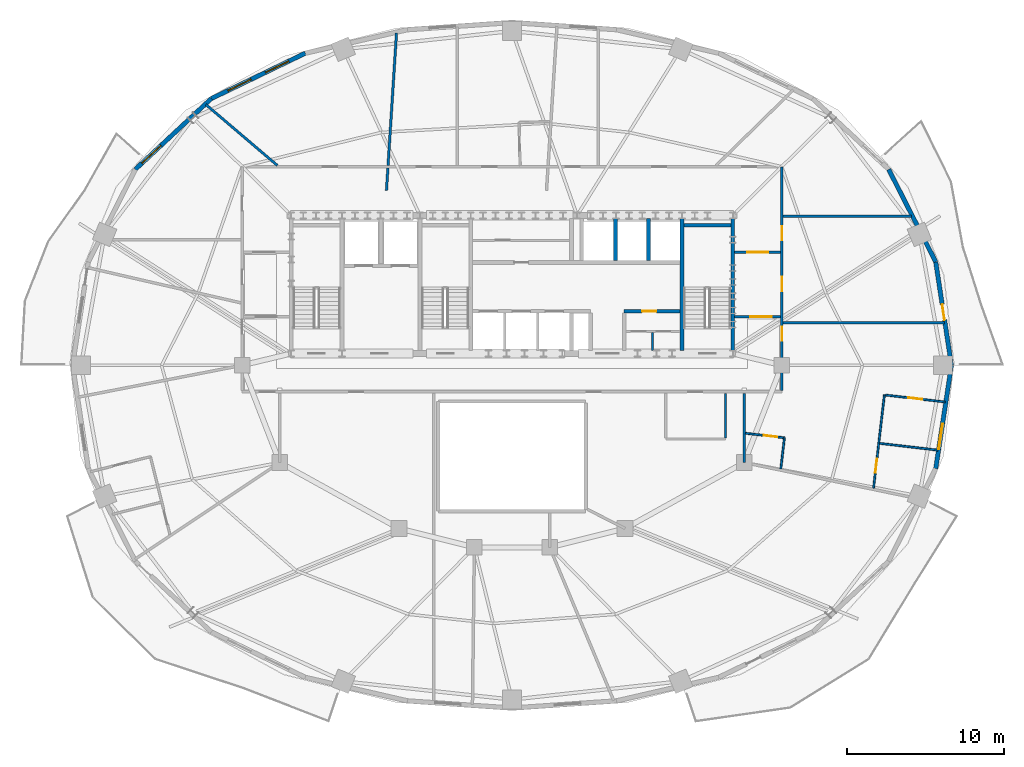
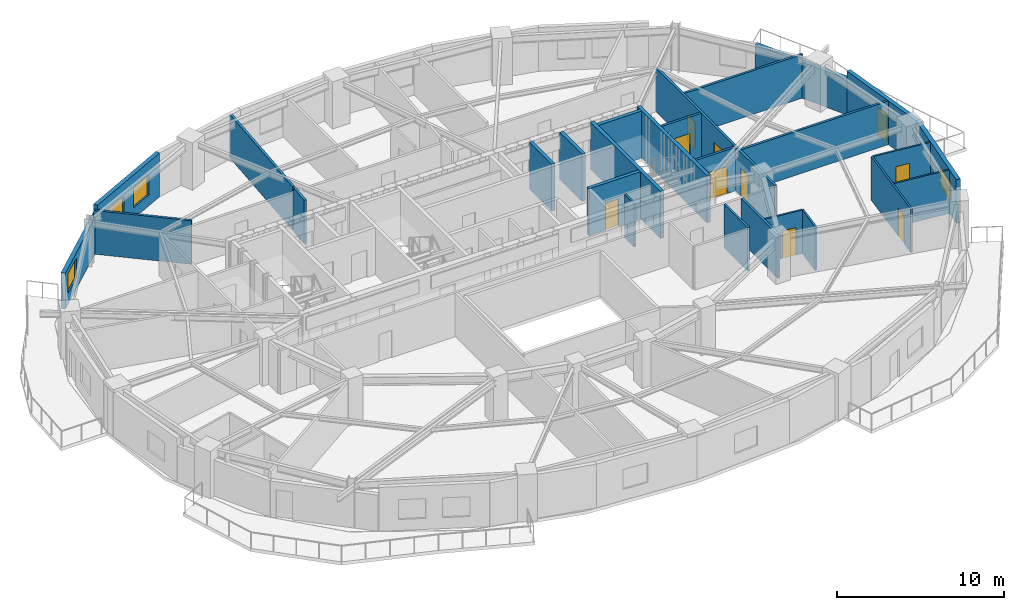
# One storey, part 6 of 10: 27 walls, 10 doors, 4 windows, 14 openings.
"""IFC4 building model written with IfcOpenShell, lengths in metres."""

from ifc_helpers import new_model, si_unit, direction, frame, frame_2d, origin, place, context, subcontext, project, spatial, rectangle, extrude, material, layer, layer_set, type_object, element, fill, save


model = new_model("IFC4")

# Units and contexts
model_context = context("Model", 3, precision=1e-05, world=origin(), true_north=direction((0.0, 1.0)))
body_context = subcontext(model_context, "Body", "Model", "MODEL_VIEW")
ifc_project = project(units=[si_unit("LENGTHUNIT", "METRE"), si_unit("AREAUNIT", "SQUARE_METRE"), si_unit("VOLUMEUNIT", "CUBIC_METRE"), si_unit("PLANEANGLEUNIT", "RADIAN"), si_unit("MASSUNIT", "GRAM", prefix="KILO")], contexts=[model_context])

# Site, building, storey
site_placement = place(None, origin())
site = spatial("IfcSite", under=ifc_project, at=site_placement, CompositionType="ELEMENT")
building_placement = place(site_placement, origin())
building = spatial("IfcBuilding", under=site, at=building_placement, Name="Haldorwick Loom Tower", CompositionType="ELEMENT")
storey_placement = place(building_placement, frame((0.0, 0.0, 193.449951171875)))
storey = spatial("IfcBuildingStorey", under=building, at=storey_placement, Name="L52", CompositionType="ELEMENT", Elevation=193.449951171875)

# Wall, opening, door
ifc_material_1 = material(Name="Pressed Clay Face Brick and Insulated Masonry Backup Assembly", Category="masonry")
ifc_layer_1 = layer(ifc_material_1, 0.280029296875, Name="Pressed Clay Face Brick and Insulated Masonry Backup Assembly", Category="masonry")
ifc_layer_set_1 = layer_set([ifc_layer_1], Name="Pressed Clay Face Brick and Insulated Masonry Backup Assembly")
wall_type_1 = type_object("IfcWallType", Name="ARC-WL-EXT280", PredefinedType="STANDARD", material=ifc_layer_set_1)
wall_1_placement = place(storey_placement, frame((64.00634765625, 26.0, 0.0), z_axis=(0.0, 0.0, 1.0), x_axis=(-0.150467697578, 0.988614926038, 0.0)))
wall_1 = element("IfcWall", 1, at=wall_1_placement, inside=storey, type_object=wall_type_1, Name="L52 Brick Pier and Spandrel Wall 1", PredefinedType="STANDARD", context=body_context, shape_type="SweptSolid", body=[
    extrude(rectangle(XDim=6.66064453125, YDim=0.280029296875, at=frame_2d((3.330322265625, 0.0))), origin(), (0.0, 0.0, 1.0), 3.2099609375),
])
opening_1_placement = place(wall_1_placement, frame((2.92041015625, 0.0, 0.0)))
opening_1 = element("IfcOpeningElement", 2, at=opening_1_placement, cuts=wall_1, Name="Opening D-BL10", PredefinedType="OPENING", context=body_context, shape_type="SweptSolid", body=[
    extrude(rectangle(XDim=1.0, YDim=2.0400390625, at=frame_2d((0.5, 1.02001953125))), frame((0.0, 0.14990234375, 0.0), z_axis=(0.0, -1.0, 0.0), x_axis=(1.0, 0.0, 0.0)), (0.0, 0.0, 1.0), 0.300048828125),
])
ifc_material_2 = material(Name="Thermally Broken Anodized Aluminium Curtain Wall Framing", Category="aluminium")
door_type_1 = type_object("IfcDoorType", Name="ARC-DR-BAL100", OperationType="NOTDEFINED", PredefinedType="DOOR", material=ifc_material_2)
door_1_placement = place(opening_1_placement, origin())
door_1 = element("IfcDoor", 3, at=door_1_placement, inside=storey, type_object=door_type_1, Name="L52 Outdoor Terrace Door SLB-L52-BAL_ENE", OperationType="SINGLE_SWING_RIGHT", OverallHeight=2.0400390625, OverallWidth=1.0, PredefinedType="DOOR", context=body_context, shape_type="SweptSolid", body=[
    extrude(rectangle(XDim=1.0, YDim=2.0400390625, at=frame_2d((0.5, 1.02001953125))), frame((0.0, 0.02490234375, 0.0), z_axis=(0.0, -1.0, 0.0), x_axis=(1.0, 0.0, 0.0)), (0.0, 0.0, 1.0), 0.050048828125),
])
fill(opening_1, door_1)

# Wall
wall_2_placement = place(storey_placement, frame((63.004150390625, 32.584716796875, 0.0), z_axis=(0.0, 0.0, 1.0), x_axis=(-0.453032066879, 0.89149422117, 0.0)))
element("IfcWall", 4, at=wall_2_placement, inside=storey, type_object=wall_type_1, Name="L52 Brick Pier and Spandrel Wall 2", PredefinedType="STANDARD", context=body_context, shape_type="SweptSolid", body=[
    extrude(rectangle(XDim=6.618896484375, YDim=0.280029296875, at=frame_2d((3.3095703125, 0.0))), origin(), (0.0, 0.0, 1.0), 2.64111328125),
])

# Wall, openings, windows
wall_3_placement = place(storey_placement, frame((22.82861328125, 45.890869140625, 0.0), z_axis=(0.0, 0.0, 1.0), x_axis=(-0.900371236029, -0.435122554381, 0.0)))
wall_3 = element("IfcWall", 5, at=wall_3_placement, inside=storey, type_object=wall_type_1, Name="L52 Brick Pier and Spandrel Wall 9", PredefinedType="STANDARD", context=body_context, shape_type="SweptSolid", body=[
    extrude(rectangle(XDim=6.6533203125, YDim=0.280029296875, at=frame_2d((3.32666015625, 0.0))), origin(), (0.0, 0.0, 1.0), 3.2099609375),
])
opening_2_placement = place(wall_3_placement, frame((1.1708984375, 0.0, 0.800048828125)))
opening_2 = element("IfcOpeningElement", 6, at=opening_2_placement, cuts=wall_3, Name="Opening W-01B", PredefinedType="OPENING", context=body_context, shape_type="SweptSolid", body=[
    extrude(rectangle(XDim=1.64990234375, YDim=1.449951171875, at=frame_2d((0.824951171875, 0.72509765625))), frame((0.0, 0.14990234375, 0.0), z_axis=(0.0, -1.0, 0.0), x_axis=(1.0, 0.0, 0.0)), (0.0, 0.0, 1.0), 0.300048828125),
])
opening_3_placement = place(wall_3_placement, frame((3.832275390625, 0.0, 0.800048828125)))
opening_3 = element("IfcOpeningElement", 7, at=opening_3_placement, cuts=wall_3, Name="Opening W-01B", PredefinedType="OPENING", context=body_context, shape_type="SweptSolid", body=[
    extrude(rectangle(XDim=1.64990234375, YDim=1.449951171875, at=frame_2d((0.824951171875, 0.72509765625))), frame((0.0, 0.14990234375, 0.0), z_axis=(0.0, -1.0, 0.0), x_axis=(1.0, 0.0, 0.0)), (0.0, 0.0, 1.0), 0.300048828125),
])
ifc_material_3 = material(Name="Triple-Glazed Low-E Argon Insulated Glazing Unit", Category="glass")
window_type = type_object("IfcWindowType", Name="ARC-WIN-W165", PartitioningType="SINGLE_PANEL", PredefinedType="WINDOW", material=ifc_material_3)
window_1_placement = place(opening_2_placement, origin())
window_1 = element("IfcWindow", 8, at=window_1_placement, inside=storey, type_object=window_type, Name="L52 Deep-Set Zone 7A Window 9", OverallHeight=1.449951171875, OverallWidth=1.64990234375, PartitioningType="SINGLE_PANEL", PredefinedType="WINDOW", context=body_context, shape_type="SweptSolid", body=[
    extrude(rectangle(XDim=1.64990234375, YDim=1.449951171875, at=frame_2d((0.824951171875, 0.72509765625))), frame((0.0, 0.030029296875, 0.0), z_axis=(0.0, -1.0, 0.0), x_axis=(1.0, 0.0, 0.0)), (0.0, 0.0, 1.0), 0.06005859375),
])
fill(opening_2, window_1)
window_2_placement = place(opening_3_placement, origin())
window_2 = element("IfcWindow", 9, at=window_2_placement, inside=storey, type_object=window_type, Name="L52 Deep-Set Zone 7A Window 9", OverallHeight=1.449951171875, OverallWidth=1.64990234375, PartitioningType="SINGLE_PANEL", PredefinedType="WINDOW", context=body_context, shape_type="SweptSolid", body=[
    extrude(rectangle(XDim=1.64990234375, YDim=1.449951171875, at=frame_2d((0.824951171875, 0.72509765625))), frame((0.0, 0.030029296875, 0.0), z_axis=(0.0, -1.0, 0.0), x_axis=(1.0, 0.0, 0.0)), (0.0, 0.0, 1.0), 0.06005859375),
])
fill(opening_3, window_2)

# Wall, opening, window
wall_4_placement = place(storey_placement, frame((16.838134765625, 42.995849609375, 0.0), z_axis=(0.0, 0.0, 1.0), x_axis=(-0.731833707499, -0.681483253329, 0.0)))
wall_4 = element("IfcWall", 10, at=wall_4_placement, inside=storey, type_object=wall_type_1, Name="L52 Brick Pier and Spandrel Wall 10", PredefinedType="STANDARD", context=body_context, shape_type="SweptSolid", body=[
    extrude(rectangle(XDim=6.61865234375, YDim=0.280029296875, at=frame_2d((3.309326171875, 0.0))), origin(), (0.0, 0.0, 1.0), 2.64111328125),
])
opening_4_placement = place(wall_4_placement, frame((4.38720703125, 0.0, 0.800048828125)))
opening_4 = element("IfcOpeningElement", 11, at=opening_4_placement, cuts=wall_4, Name="Opening W-01B", PredefinedType="OPENING", context=body_context, shape_type="SweptSolid", body=[
    extrude(rectangle(XDim=1.64990234375, YDim=1.449951171875, at=frame_2d((0.824951171875, 0.72509765625))), frame((0.0, 0.14990234375, 0.0), z_axis=(0.0, -1.0, 0.0), x_axis=(1.0, 0.0, 0.0)), (0.0, 0.0, 1.0), 0.300048828125),
])
window_3_placement = place(opening_4_placement, origin())
window_3 = element("IfcWindow", 12, at=window_3_placement, inside=storey, type_object=window_type, Name="L52 Deep-Set Zone 7A Window 10", OverallHeight=1.449951171875, OverallWidth=1.64990234375, PartitioningType="SINGLE_PANEL", PredefinedType="WINDOW", context=body_context, shape_type="SweptSolid", body=[
    extrude(rectangle(XDim=1.64990234375, YDim=1.449951171875, at=frame_2d((0.824951171875, 0.72509765625))), frame((0.0, 0.030029296875, 0.0), z_axis=(0.0, -1.0, 0.0), x_axis=(1.0, 0.0, 0.0)), (0.0, 0.0, 1.0), 0.06005859375),
])
fill(opening_4, window_3)

wall_5_placement = place(storey_placement, frame((63.004150390625, 19.415283203125, 0.0), z_axis=(0.0, 0.0, 1.0), x_axis=(0.150467697578, 0.988614926038, 0.0)))
wall_5 = element("IfcWall", 13, at=wall_5_placement, inside=storey, type_object=wall_type_1, Name="L52 Brick Pier and Spandrel Wall 24", PredefinedType="STANDARD", context=body_context, shape_type="SweptSolid", body=[
    extrude(rectangle(XDim=6.66064453125, YDim=0.280029296875, at=frame_2d((3.330322265625, 0.0))), origin(), (0.0, 0.0, 1.0), 3.2099609375),
])
opening_5_placement = place(wall_5_placement, frame((1.2421875, 0.0, 0.800048828125)))
opening_5 = element("IfcOpeningElement", 14, at=opening_5_placement, cuts=wall_5, Name="Opening W-01B", PredefinedType="OPENING", context=body_context, shape_type="SweptSolid", body=[
    extrude(rectangle(XDim=1.64990234375, YDim=1.449951171875, at=frame_2d((0.824951171875, 0.72509765625))), frame((0.0, 0.14990234375, 0.0), z_axis=(0.0, -1.0, 0.0), x_axis=(1.0, 0.0, 0.0)), (0.0, 0.0, 1.0), 0.300048828125),
])
window_4_placement = place(opening_5_placement, origin())
window_4 = element("IfcWindow", 15, at=window_4_placement, inside=storey, type_object=window_type, Name="L52 Deep-Set Zone 7A Window 24", OverallHeight=1.449951171875, OverallWidth=1.64990234375, PartitioningType="SINGLE_PANEL", PredefinedType="WINDOW", context=body_context, shape_type="SweptSolid", body=[
    extrude(rectangle(XDim=1.64990234375, YDim=1.449951171875, at=frame_2d((0.824951171875, 0.72509765625))), frame((0.0, 0.030029296875, 0.0), z_axis=(0.0, -1.0, 0.0), x_axis=(1.0, 0.0, 0.0)), (0.0, 0.0, 1.0), 0.06005859375),
])
fill(opening_5, window_4)

# Wall, openings, doors
ifc_material_4 = material(Name="Fire-Rated Type X Gypsum Stud Assembly EI 60")
ifc_layer_2 = layer(ifc_material_4, 0.159912109375, Name="Fire-Rated Type X Gypsum Stud Assembly EI 60")
ifc_layer_set_2 = layer_set([ifc_layer_2], Name="Fire-Rated Type X Gypsum Stud Assembly EI 60")
wall_type_2 = type_object("IfcWallType", Name="ARC-WL-FIRE160", PredefinedType="PARTITIONING", material=ifc_layer_set_2)
wall_6_placement = place(storey_placement, frame((53.199951171875, 24.383056640625, 0.0), z_axis=(0.0, 0.0, 1.0), x_axis=(0.0, 1.0, 0.0)))
wall_6 = element("IfcWall", 16, at=wall_6_placement, inside=storey, type_object=wall_type_2, Name="L52 Residential Fire Partition L52-CR-E0", PredefinedType="PARTITIONING", context=body_context, shape_type="SweptSolid", body=[
    extrude(rectangle(XDim=14.266845703125, YDim=0.159912109375, at=frame_2d((7.13330078125, 0.0))), origin(), (0.0, 0.0, 1.0), 3.195068359375),
])
opening_6_placement = place(wall_6_placement, frame((6.34912109375, 0.0, 0.0)))
opening_6 = element("IfcOpeningElement", 17, at=opening_6_placement, cuts=wall_6, Name="Opening D-FD60A", PredefinedType="OPENING", context=body_context, shape_type="SweptSolid", body=[
    extrude(rectangle(XDim=0.89990234375, YDim=2.0, at=frame_2d((0.449951171875, 1.0))), frame((0.0, 0.08984375, 0.0), z_axis=(0.0, -1.0, 0.0), x_axis=(1.0, 0.0, 0.0)), (0.0, 0.0, 1.0), 0.179931640625),
])
opening_7_placement = place(wall_6_placement, frame((3.172119140625, 0.0, 0.0)))
opening_7 = element("IfcOpeningElement", 18, at=opening_7_placement, cuts=wall_6, Name="Opening D-FD60A", PredefinedType="OPENING", context=body_context, shape_type="SweptSolid", body=[
    extrude(rectangle(XDim=0.89990234375, YDim=2.0, at=frame_2d((0.449951171875, 1.0))), frame((0.0, 0.08984375, 0.0), z_axis=(0.0, -1.0, 0.0), x_axis=(1.0, 0.0, 0.0)), (0.0, 0.0, 1.0), 0.179931640625),
])
opening_8_placement = place(wall_6_placement, frame((9.58154296875, 0.0, 0.0)))
opening_8 = element("IfcOpeningElement", 19, at=opening_8_placement, cuts=wall_6, Name="Opening D-FD60A", PredefinedType="OPENING", context=body_context, shape_type="SweptSolid", body=[
    extrude(rectangle(XDim=0.89990234375, YDim=2.0, at=frame_2d((0.449951171875, 1.0))), frame((0.0, 0.08984375, 0.0), z_axis=(0.0, -1.0, 0.0), x_axis=(1.0, 0.0, 0.0)), (0.0, 0.0, 1.0), 0.179931640625),
])
ifc_material_5 = material(Name="Hollow Steel Fire Door Assembly", Category="steel")
door_type_2 = type_object("IfcDoorType", Name="ARC-DR-FD60-90", OperationType="NOTDEFINED", PredefinedType="DOOR", material=ifc_material_5)
door_2_placement = place(opening_6_placement, origin())
door_2 = element("IfcDoor", 20, at=door_2_placement, inside=storey, type_object=door_type_2, Name="L52 L52 East Residential Corridor to Community Teaching Classroom 3 Door", OperationType="SINGLE_SWING_LEFT", OverallHeight=2.0, OverallWidth=0.89990234375, PredefinedType="DOOR", context=body_context, shape_type="SweptSolid", body=[
    extrude(rectangle(XDim=0.89990234375, YDim=2.0, at=frame_2d((0.449951171875, 1.0))), frame((0.0, 0.02490234375, 0.0), z_axis=(0.0, -1.0, 0.0), x_axis=(1.0, 0.0, 0.0)), (0.0, 0.0, 1.0), 0.050048828125),
])
fill(opening_6, door_2)
door_3_placement = place(opening_7_placement, origin())
door_3 = element("IfcDoor", 21, at=door_3_placement, inside=storey, type_object=door_type_2, Name="L52 L52 Central Residential Corridor to Unit 52B Kitchen and Penthouse L", OperationType="SINGLE_SWING_RIGHT", OverallHeight=2.0, OverallWidth=0.89990234375, PredefinedType="DOOR", context=body_context, shape_type="SweptSolid", body=[
    extrude(rectangle(XDim=0.89990234375, YDim=2.0, at=frame_2d((0.449951171875, 1.0))), frame((0.0, 0.02490234375, 0.0), z_axis=(0.0, -1.0, 0.0), x_axis=(1.0, 0.0, 0.0)), (0.0, 0.0, 1.0), 0.050048828125),
])
fill(opening_7, door_3)
door_4_placement = place(opening_8_placement, origin())
door_4 = element("IfcDoor", 22, at=door_4_placement, inside=storey, type_object=door_type_2, Name="L52 L52 North Residential Corridor to Community Teaching Classroom 3 Doo", OperationType="SINGLE_SWING_LEFT", OverallHeight=2.0, OverallWidth=0.89990234375, PredefinedType="DOOR", context=body_context, shape_type="SweptSolid", body=[
    extrude(rectangle(XDim=0.89990234375, YDim=2.0, at=frame_2d((0.449951171875, 1.0))), frame((0.0, 0.02490234375, 0.0), z_axis=(0.0, -1.0, 0.0), x_axis=(1.0, 0.0, 0.0)), (0.0, 0.0, 1.0), 0.050048828125),
])
fill(opening_8, door_4)

# Wall, opening, door
wall_7_placement = place(storey_placement, frame((50.193115234375, 29.10009765625, 0.0), z_axis=(0.0, 0.0, 1.0), x_axis=(1.0, 0.0, 0.0)))
wall_7 = element("IfcWall", 23, at=wall_7_placement, inside=storey, type_object=wall_type_2, Name="L52 Residential Fire Partition L52-CR-ESJ", PredefinedType="PARTITIONING", context=body_context, shape_type="SweptSolid", body=[
    extrude(rectangle(XDim=2.923828125, YDim=0.159912109375, at=frame_2d((1.4619140625, 0.0))), origin(), (0.0, 0.0, 1.0), 3.195068359375),
])
opening_9_placement = place(wall_7_placement, frame((0.99560546875, 0.0, 0.0)))
opening_9 = element("IfcOpeningElement", 24, at=opening_9_placement, cuts=wall_7, Name="Opening D-CR15", PredefinedType="OPENING", context=body_context, shape_type="SweptSolid", body=[
    extrude(rectangle(XDim=1.35009765625, YDim=2.0, at=frame_2d((0.675048828125, 1.0))), frame((0.0, 0.08984375, 0.0), z_axis=(0.0, -1.0, 0.0), x_axis=(1.0, 0.0, 0.0)), (0.0, 0.0, 1.0), 0.179931640625),
])
ifc_material_6 = material(Name="Thermally Broken Anodized Aluminium and Tempered Glass", Category="aluminium")
door_type_3 = type_object("IfcDoorType", Name="ARC-DR-COR150", OperationType="NOTDEFINED", PredefinedType="DOOR", material=ifc_material_6)
door_5_placement = place(opening_9_placement, origin())
door_5 = element("IfcDoor", 25, at=door_5_placement, inside=storey, type_object=door_type_3, Name="L52 L52 East Residential Corridor to L52 Central Residential Corridor Do", OperationType="DOUBLE_DOOR_SINGLE_SWING", OverallHeight=2.0, OverallWidth=1.35009765625, PredefinedType="DOOR", context=body_context, shape_type="SweptSolid", body=[
    extrude(rectangle(XDim=1.35009765625, YDim=2.0, at=frame_2d((0.675048828125, 1.0))), frame((0.0, 0.02490234375, 0.0), z_axis=(0.0, -1.0, 0.0), x_axis=(1.0, 0.0, 0.0)), (0.0, 0.0, 1.0), 0.050048828125),
])
fill(opening_9, door_5)

wall_8_placement = place(storey_placement, frame((50.193115234375, 33.199951171875, 0.0), z_axis=(0.0, 0.0, 1.0), x_axis=(1.0, 0.0, 0.0)))
wall_8 = element("IfcWall", 26, at=wall_8_placement, inside=storey, type_object=wall_type_2, Name="L52 Residential Fire Partition L52-CR-ENJ", PredefinedType="PARTITIONING", context=body_context, shape_type="SweptSolid", body=[
    extrude(rectangle(XDim=2.923828125, YDim=0.159912109375, at=frame_2d((1.4619140625, 0.0))), origin(), (0.0, 0.0, 1.0), 3.195068359375),
])
opening_10_placement = place(wall_8_placement, frame((0.787109375, 0.0, 0.0)))
opening_10 = element("IfcOpeningElement", 27, at=opening_10_placement, cuts=wall_8, Name="Opening D-CR15", PredefinedType="OPENING", context=body_context, shape_type="SweptSolid", body=[
    extrude(rectangle(XDim=1.35009765625, YDim=2.0, at=frame_2d((0.675048828125, 1.0))), frame((0.0, 0.08984375, 0.0), z_axis=(0.0, -1.0, 0.0), x_axis=(1.0, 0.0, 0.0)), (0.0, 0.0, 1.0), 0.179931640625),
])
door_6_placement = place(opening_10_placement, origin())
door_6 = element("IfcDoor", 28, at=door_6_placement, inside=storey, type_object=door_type_3, Name="L52 L52 North Residential Corridor to L52 East Residential Corridor Door", OperationType="DOUBLE_DOOR_SINGLE_SWING", OverallHeight=2.0, OverallWidth=1.35009765625, PredefinedType="DOOR", context=body_context, shape_type="SweptSolid", body=[
    extrude(rectangle(XDim=1.35009765625, YDim=2.0, at=frame_2d((0.675048828125, 1.0))), frame((0.0, 0.02490234375, 0.0), z_axis=(0.0, -1.0, 0.0), x_axis=(1.0, 0.0, 0.0)), (0.0, 0.0, 1.0), 0.050048828125),
])
fill(opening_10, door_6)

# Walls
wall_9_placement = place(storey_placement, frame((50.800048828125, 24.217041015625, 0.0), z_axis=(0.0, 0.0, 1.0), x_axis=(0.0, -1.0, 0.0)))
element("IfcWall", 29, at=wall_9_placement, inside=storey, type_object=wall_type_2, Name="L52 Residential Fire Partition L52-ICA-01", PredefinedType="PARTITIONING", context=body_context, shape_type="SweptSolid", body=[
    extrude(rectangle(XDim=4.4169921875, YDim=0.159912109375, at=frame_2d((2.20849609375, 0.0))), origin(), (0.0, 0.0, 1.0), 3.195068359375),
])
wall_10_placement = place(storey_placement, frame((28.0, 37.14990234375, 0.0), z_axis=(0.0, 0.0, 1.0), x_axis=(0.063619995276, 0.99797419616, 0.0)))
element("IfcWall", 30, at=wall_10_placement, inside=storey, type_object=wall_type_2, Name="L52 Residential Fire Partition L52-UPN-12", PredefinedType="PARTITIONING", context=body_context, shape_type="SweptSolid", body=[
    extrude(rectangle(XDim=1.419921875, YDim=0.159912109375, at=frame_2d((0.7099609375, 0.0))), origin(), (0.0, 0.0, 1.0), 3.195068359375),
])
wall_11_placement = place(storey_placement, frame((28.100830078125, 38.73291015625, 0.0), z_axis=(0.0, 0.0, 1.0), x_axis=(0.06362070791, 0.99797415073, 0.0)))
element("IfcWall", 31, at=wall_11_placement, inside=storey, type_object=wall_type_2, Name="L52 Residential Fire Partition L52-UPN-12", PredefinedType="PARTITIONING", context=body_context, shape_type="SweptSolid", body=[
    extrude(rectangle(XDim=8.46533203125, YDim=0.159912109375, at=frame_2d((4.232666015625, 0.0))), origin(), (0.0, 0.0, 1.0), 3.195068359375),
])
wall_12_placement = place(storey_placement, frame((53.282958984375, 28.699951171875, 0.0), z_axis=(0.0, 0.0, 1.0), x_axis=(1.0, 0.0, 0.0)))
element("IfcWall", 32, at=wall_12_placement, inside=storey, type_object=wall_type_2, Name="L52 Residential Fire Partition L52-FLE-15", PredefinedType="PARTITIONING", context=body_context, shape_type="SweptSolid", body=[
    extrude(rectangle(XDim=10.266845703125, YDim=0.159912109375, at=frame_2d((5.13330078125, 0.0))), origin(), (0.0, 0.0, 1.0), 3.195068359375),
])
wall_13_placement = place(storey_placement, frame((53.282958984375, 35.5, 0.0), z_axis=(0.0, 0.0, 1.0), x_axis=(1.0, 0.0, 0.0)))
element("IfcWall", 33, at=wall_13_placement, inside=storey, type_object=wall_type_2, Name="L52 Residential Fire Partition L52-FLE-17", PredefinedType="PARTITIONING", context=body_context, shape_type="SweptSolid", body=[
    extrude(rectangle(XDim=8.189208984375, YDim=0.159912109375, at=frame_2d((4.0947265625, 0.0))), origin(), (0.0, 0.0, 1.0), 3.195068359375),
])
wall_14_placement = place(storey_placement, frame((21.04931640625, 38.73291015625, 0.0), z_axis=(0.0, 0.0, 1.0), x_axis=(-0.761291709936, 0.648409540632, 0.0)))
element("IfcWall", 34, at=wall_14_placement, inside=storey, type_object=wall_type_2, Name="L52 Suite Split Wall", PredefinedType="PARTITIONING", context=body_context, shape_type="SweptSolid", body=[
    extrude(rectangle(XDim=5.984375, YDim=0.159912109375, at=frame_2d((2.9921875, 0.0))), origin(), (0.0, 0.0, 1.0), 3.195068359375),
])
ifc_material_7 = material(Name="Acoustic Gypsum Stud Assembly STC 55")
ifc_layer_3 = layer(ifc_material_7, 0.1201171875, Name="Acoustic Gypsum Stud Assembly STC 55")
ifc_layer_set_3 = layer_set([ifc_layer_3], Name="Acoustic Gypsum Stud Assembly STC 55")
wall_type_3 = type_object("IfcWallType", Name="ARC-WL-PART120", PredefinedType="PARTITIONING", material=ifc_layer_set_3)
wall_15_placement = place(storey_placement, frame((53.131103515625, 19.400634765625, 0.0), z_axis=(0.0, 0.0, 1.0), x_axis=(0.115866587117, 0.993264785437, 0.0)))
element("IfcWall", 35, at=wall_15_placement, inside=storey, type_object=wall_type_3, Name="L52 Unit 52B Interior Partition", PredefinedType="PARTITIONING", context=body_context, shape_type="SweptSolid", body=[
    extrude(rectangle(XDim=1.9912109375, YDim=0.1201171875, at=frame_2d((0.99560546875, 0.0))), origin(), (0.0, 0.0, 1.0), 3.195068359375),
])

# Wall, opening, door
wall_16_placement = place(storey_placement, frame((50.883056640625, 21.667724609375, 0.0), z_axis=(0.0, 0.0, 1.0), x_axis=(0.993257695601, -0.115927348497, 0.0)))
wall_16 = element("IfcWall", 36, at=wall_16_placement, inside=storey, type_object=wall_type_3, Name="L52 Unit 52B Interior Partition", PredefinedType="PARTITIONING", context=body_context, shape_type="SweptSolid", body=[
    extrude(rectangle(XDim=2.49560546875, YDim=0.1201171875, at=frame_2d((1.247802734375, 0.0))), origin(), (0.0, 0.0, 1.0), 3.195068359375),
])
opening_11_placement = place(wall_16_placement, frame((1.15869140625, 0.0, 0.0)))
opening_11 = element("IfcOpeningElement", 37, at=opening_11_placement, cuts=wall_16, Name="Opening D-BT88", PredefinedType="OPENING", context=body_context, shape_type="SweptSolid", body=[
    extrude(rectangle(XDim=0.8798828125, YDim=2.02001953125, at=frame_2d((0.43994140625, 1.010009765625))), frame((0.0, 0.070068359375, 0.0), z_axis=(0.0, -1.0, 0.0), x_axis=(1.0, 0.0, 0.0)), (0.0, 0.0, 1.0), 0.14013671875),
])
ifc_material_8 = material(Name="Solid Core Birch Architectural Door")
door_type_4 = type_object("IfcDoorType", Name="ARC-DR-BATH88", OperationType="NOTDEFINED", PredefinedType="DOOR", material=ifc_material_8)
door_7_placement = place(opening_11_placement, origin())
door_7 = element("IfcDoor", 38, at=door_7_placement, inside=storey, type_object=door_type_4, Name="L52 Unit 52B Kitchen and Penthouse Living Room to Unit 52B Bathroom Door", OperationType="SINGLE_SWING_LEFT", OverallHeight=2.02001953125, OverallWidth=0.8798828125, PredefinedType="DOOR", context=body_context, shape_type="SweptSolid", body=[
    extrude(rectangle(XDim=0.8798828125, YDim=2.02001953125, at=frame_2d((0.43994140625, 1.010009765625))), frame((0.0, 0.02490234375, 0.0), z_axis=(0.0, -1.0, 0.0), x_axis=(1.0, 0.0, 0.0)), (0.0, 0.0, 1.0), 0.050048828125),
])
fill(opening_11, door_7)

wall_17_placement = place(storey_placement, frame((59.04052734375, 18.173583984375, 0.0), z_axis=(0.0, 0.0, 1.0), x_axis=(0.115862568407, 0.993265254221, 0.0)))
wall_17 = element("IfcWall", 39, at=wall_17_placement, inside=storey, type_object=wall_type_3, Name="L52 Unit 52B Interior Partition", PredefinedType="PARTITIONING", context=body_context, shape_type="SweptSolid", body=[
    extrude(rectangle(XDim=5.97802734375, YDim=0.1201171875, at=frame_2d((2.989013671875, 0.0))), origin(), (0.0, 0.0, 1.0), 3.195068359375),
])
opening_12_placement = place(wall_17_placement, frame((0.989013671875, 0.0, 0.0)))
opening_12 = element("IfcOpeningElement", 40, at=opening_12_placement, cuts=wall_17, Name="Opening D-IN90", PredefinedType="OPENING", context=body_context, shape_type="SweptSolid", body=[
    extrude(rectangle(XDim=0.89990234375, YDim=2.0400390625, at=frame_2d((0.449951171875, 1.02001953125))), frame((0.0, 0.070068359375, 0.0), z_axis=(0.0, -1.0, 0.0), x_axis=(1.0, 0.0, 0.0)), (0.0, 0.0, 1.0), 0.14013671875),
])
door_type_5 = type_object("IfcDoorType", Name="ARC-DR-INT90", OperationType="NOTDEFINED", PredefinedType="DOOR", material=ifc_material_8)
door_8_placement = place(opening_12_placement, origin())
door_8 = element("IfcDoor", 41, at=door_8_placement, inside=storey, type_object=door_type_5, Name="L52 Unit 52B Kitchen and Penthouse Living Room to Unit 52B Bedroom 1 Doo", OperationType="SINGLE_SWING_LEFT", OverallHeight=2.0400390625, OverallWidth=0.89990234375, PredefinedType="DOOR", context=body_context, shape_type="SweptSolid", body=[
    extrude(rectangle(XDim=0.89990234375, YDim=2.0400390625, at=frame_2d((0.449951171875, 1.02001953125))), frame((0.0, 0.02490234375, 0.0), z_axis=(0.0, -1.0, 0.0), x_axis=(1.0, 0.0, 0.0)), (0.0, 0.0, 1.0), 0.050048828125),
])
fill(opening_12, door_8)

wall_18_placement = place(storey_placement, frame((59.7958984375, 24.10400390625, 0.0), z_axis=(0.0, 0.0, 1.0), x_axis=(0.993263139087, -0.11588069956, 0.0)))
wall_18 = element("IfcWall", 42, at=wall_18_placement, inside=storey, type_object=wall_type_3, Name="L52 Unit 52B Interior Partition", PredefinedType="PARTITIONING", context=body_context, shape_type="SweptSolid", body=[
    extrude(rectangle(XDim=3.83447265625, YDim=0.1201171875, at=frame_2d((1.917236328125, 0.0))), origin(), (0.0, 0.0, 1.0), 3.195068359375),
])
opening_13_placement = place(wall_18_placement, frame((1.46728515625, 0.0, 0.0)))
opening_13 = element("IfcOpeningElement", 43, at=opening_13_placement, cuts=wall_18, Name="Opening D-IN90", PredefinedType="OPENING", context=body_context, shape_type="SweptSolid", body=[
    extrude(rectangle(XDim=0.89990234375, YDim=2.0400390625, at=frame_2d((0.449951171875, 1.02001953125))), frame((0.0, 0.070068359375, 0.0), z_axis=(0.0, -1.0, 0.0), x_axis=(1.0, 0.0, 0.0)), (0.0, 0.0, 1.0), 0.14013671875),
])
door_9_placement = place(opening_13_placement, origin())
door_9 = element("IfcDoor", 44, at=door_9_placement, inside=storey, type_object=door_type_5, Name="L52 Unit 52B Kitchen and Penthouse Living Room to Unit 52B Bedroom 2 Doo", OperationType="SINGLE_SWING_LEFT", OverallHeight=2.0400390625, OverallWidth=0.89990234375, PredefinedType="DOOR", context=body_context, shape_type="SweptSolid", body=[
    extrude(rectangle(XDim=0.89990234375, YDim=2.0400390625, at=frame_2d((0.449951171875, 1.02001953125))), frame((0.0, 0.02490234375, 0.0), z_axis=(0.0, -1.0, 0.0), x_axis=(1.0, 0.0, 0.0)), (0.0, 0.0, 1.0), 0.050048828125),
])
fill(opening_13, door_9)

# Walls
wall_19_placement = place(storey_placement, frame((59.436279296875, 21.0234375, 0.0), z_axis=(0.0, 0.0, 1.0), x_axis=(0.993269044717, -0.115830068667, 0.0)))
element("IfcWall", 45, at=wall_19_placement, inside=storey, type_object=wall_type_3, Name="L52 Unit 52B Interior Partition", PredefinedType="PARTITIONING", context=body_context, shape_type="SweptSolid", body=[
    extrude(rectangle(XDim=3.7265625, YDim=0.1201171875, at=frame_2d((1.86328125, 0.0))), origin(), (0.0, 0.0, 1.0), 3.195068359375),
])
ifc_layer_4 = layer(ifc_material_4, 0.139892578125, Name="Fire-Rated Type X Gypsum Stud Assembly EI 60")
ifc_layer_set_4 = layer_set([ifc_layer_4], Name="Fire-Rated Type X Gypsum Stud Assembly EI 60")
wall_type_4 = type_object("IfcWallType", Name="ARC-WL-PART140", PredefinedType="PARTITIONING", material=ifc_layer_set_4)
wall_20_placement = place(storey_placement, frame((44.949951171875, 26.952880859375, 0.0), z_axis=(0.0, 0.0, 1.0), x_axis=(0.0, 1.0, 0.0)))
element("IfcWall", 46, at=wall_20_placement, inside=storey, type_object=wall_type_4, Name="L52 Metering Sub-Partition", PredefinedType="PARTITIONING", context=body_context, shape_type="SweptSolid", body=[
    extrude(rectangle(XDim=1.134033203125, YDim=0.139892578125, at=frame_2d((0.56689453125, 0.0))), origin(), (0.0, 0.0, 1.0), 3.195068359375),
])
wall_21_placement = place(storey_placement, frame((49.60009765625, 21.373046875, 0.0), z_axis=(0.0, 0.0, 1.0), x_axis=(0.0, 1.0, 0.0)))
element("IfcWall", 47, at=wall_21_placement, inside=storey, type_object=wall_type_4, Name="L52 Residential Fire Partition L52-CWC-E", PredefinedType="PARTITIONING", context=body_context, shape_type="SweptSolid", body=[
    extrude(rectangle(XDim=2.843994140625, YDim=0.139892578125, at=frame_2d((1.421875, 0.0))), origin(), (0.0, 0.0, 1.0), 3.195068359375),
])
ifc_material_9 = material(Name="Concrete C50 (50 MPa)", Category="concrete")
ifc_layer_5 = layer(ifc_material_9, 0.239990234375, Name="Concrete C50 (50 MPa)", Category="concrete")
ifc_layer_set_5 = layer_set([ifc_layer_5], Name="Concrete C50 (50 MPa)")
wall_type_5 = type_object("IfcWallType", Name="STR-WL-SHAFT240", PredefinedType="SHEAR", material=ifc_layer_set_5)
for number, where, z_axis, x_axis, name in (
    (48, (50.070068359375, 26.952880859375, 0.0), (0.0, 0.0, 1.0), (0.0, 1.0, 0.0), "L52 Core Shear Wall E"),
    (49, (46.830078125, 26.952880859375, 0.0), (0.0, 0.0, 1.0), (0.0, 1.0, 0.0), "L52 Core Shear Wall 4"),
):
    element("IfcWall", number, at=place(storey_placement, frame(where, z_axis=z_axis, x_axis=x_axis)), inside=storey, type_object=wall_type_5, Name=name, PredefinedType="SHEAR", context=body_context, shape_type="SweptSolid", body=[
        extrude(rectangle(XDim=8.39404296875, YDim=0.239990234375, at=frame_2d((4.197021484375, 0.0))), origin(), (0.0, 0.0, 1.0), 3.449951171875),
    ])
wall_22_placement = place(storey_placement, frame((46.952880859375, 34.919921875, 0.0), z_axis=(0.0, 0.0, 1.0), x_axis=(1.0, 0.0, 0.0)))
element("IfcWall", 50, at=wall_22_placement, inside=storey, type_object=wall_type_5, Name="L52 Core Shear Wall 4N", PredefinedType="SHEAR", context=body_context, shape_type="SweptSolid", body=[
    extrude(rectangle(XDim=2.994140625, YDim=0.239990234375, at=frame_2d((1.4970703125, 0.0))), origin(), (0.0, 0.0, 1.0), 3.449951171875),
])

# Wall, opening, door
wall_23_placement = place(storey_placement, frame((43.14990234375, 29.449951171875, 0.0), z_axis=(0.0, 0.0, 1.0), x_axis=(1.0, 0.0, 0.0)))
wall_23 = element("IfcWall", 51, at=wall_23_placement, inside=storey, type_object=wall_type_5, Name="L52 Core Shear Wall LS2", PredefinedType="SHEAR", context=body_context, shape_type="SweptSolid", body=[
    extrude(rectangle(XDim=3.55712890625, YDim=0.239990234375, at=frame_2d((1.778564453125, 0.0))), origin(), (0.0, 0.0, 1.0), 3.449951171875),
])
opening_14_placement = place(wall_23_placement, frame((1.14990234375, 0.0, 0.0)))
opening_14 = element("IfcOpeningElement", 52, at=opening_14_placement, cuts=wall_23, Name="Opening D-FD60A", PredefinedType="OPENING", context=body_context, shape_type="SweptSolid", body=[
    extrude(rectangle(XDim=0.89990234375, YDim=2.0, at=frame_2d((0.449951171875, 1.0))), frame((0.0, 0.1298828125, 0.0), z_axis=(0.0, -1.0, 0.0), x_axis=(1.0, 0.0, 0.0)), (0.0, 0.0, 1.0), 0.260009765625),
])
door_10_placement = place(opening_14_placement, origin())
door_10 = element("IfcDoor", 53, at=door_10_placement, inside=storey, type_object=door_type_2, Name="L52 Janitor Closet Door", OperationType="SINGLE_SWING_LEFT", OverallHeight=2.0, OverallWidth=0.89990234375, PredefinedType="DOOR", context=body_context, shape_type="SweptSolid", body=[
    extrude(rectangle(XDim=0.89990234375, YDim=2.0, at=frame_2d((0.449951171875, 1.0))), frame((0.0, 0.02490234375, 0.0), z_axis=(0.0, -1.0, 0.0), x_axis=(1.0, 0.0, 0.0)), (0.0, 0.0, 1.0), 0.050048828125),
])
fill(opening_14, door_10)

# Walls
for number, where, z_axis, x_axis, name in (
    (54, (42.60009765625, 32.673095703125, 0.0), (0.0, 0.0, 1.0), (0.0, 1.0, 0.0), "L52 Core Shear Wall H1"),
    (55, (44.699951171875, 32.673095703125, 0.0), (0.0, 0.0, 1.0), (0.0, 1.0, 0.0), "L52 Core Shear Wall H2"),
):
    element("IfcWall", number, at=place(storey_placement, frame(where, z_axis=z_axis, x_axis=x_axis)), inside=storey, type_object=wall_type_5, Name=name, PredefinedType="SHEAR", context=body_context, shape_type="SweptSolid", body=[
        extrude(rectangle(XDim=2.673828125, YDim=0.239990234375, at=frame_2d((1.3369140625, 0.0))), origin(), (0.0, 0.0, 1.0), 3.449951171875),
    ])

save(model, "model.ifc")
